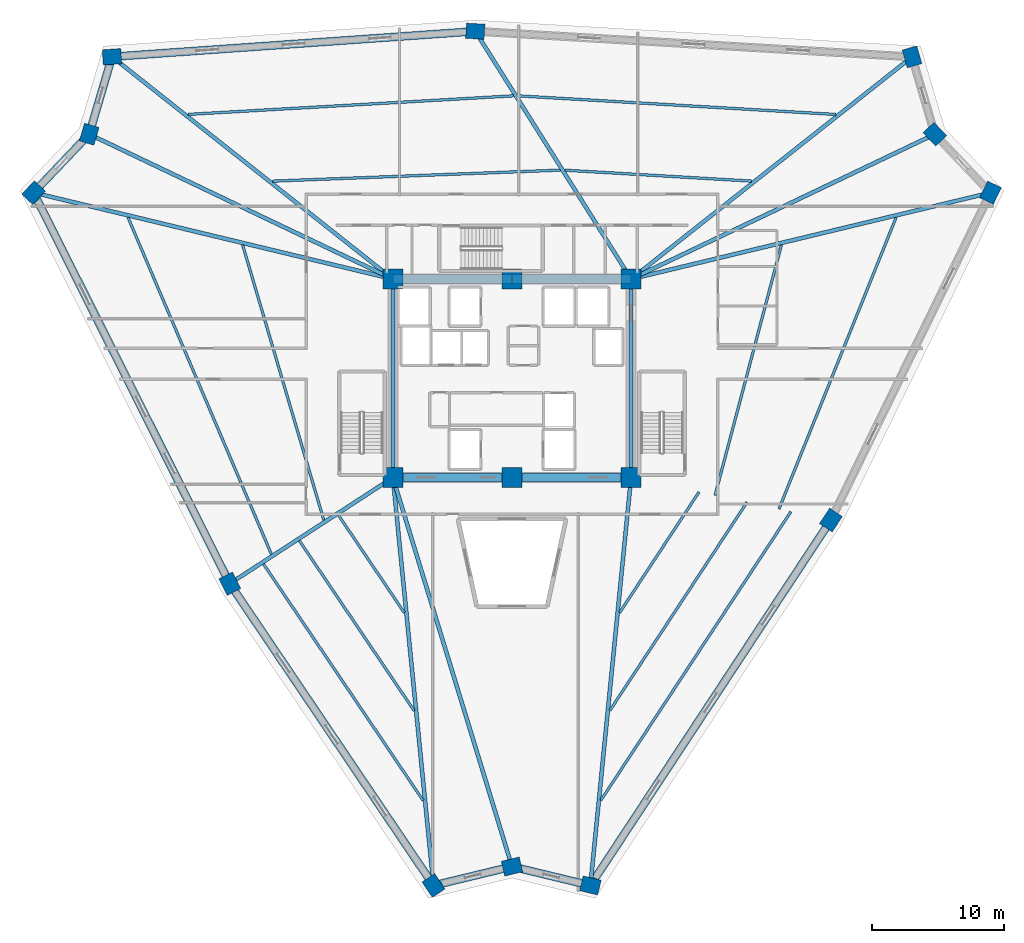
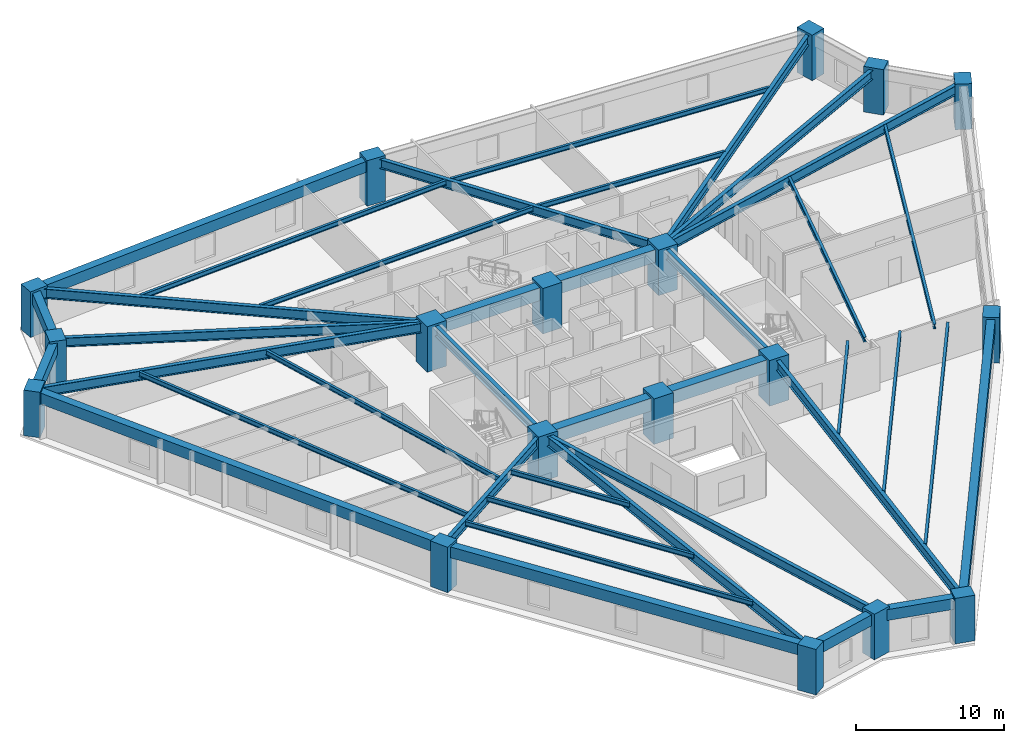
# One storey, part 1 of 9: 39 beams, 18 columns.
"""IFC4 building model written with IfcOpenShell, lengths in metres."""

from ifc_helpers import new_model, si_unit, direction, frame, origin, origin_2d, place, context, subcontext, project, spatial, rectangle, i_section, extrude, source, transform, mapped, material, material_profile, profile_set, type_object, element, save


model = new_model("IFC4")

# Units and contexts
model_context = context("Model", 3, precision=1e-05, world=origin(), true_north=direction((0.0, 1.0)))
body_context = subcontext(model_context, "Body", "Model", "MODEL_VIEW")
ifc_project = project(units=[si_unit("LENGTHUNIT", "METRE"), si_unit("AREAUNIT", "SQUARE_METRE"), si_unit("VOLUMEUNIT", "CUBIC_METRE"), si_unit("PLANEANGLEUNIT", "RADIAN"), si_unit("MASSUNIT", "GRAM", prefix="KILO")], contexts=[model_context])

# Site, building, storey
site_placement = place(None, origin())
site = spatial("IfcSite", under=ifc_project, at=site_placement, CompositionType="ELEMENT")
building_placement = place(site_placement, origin())
building = spatial("IfcBuilding", under=site, at=building_placement, Name="Liaohun Quay Tower", CompositionType="ELEMENT")
storey_placement = place(building_placement, frame((0.0, 0.0, 128.25)))
storey = spatial("IfcBuildingStorey", under=building, at=storey_placement, Name="L33", CompositionType="ELEMENT", Elevation=128.25)

# Columns
ifc_material_1 = material(Name="Concrete C60", Category="concrete")
ifc_material_profile_1 = material_profile(ifc_material_1, rectangle(XDim=1.5, YDim=1.5, at=origin_2d()), Name="RC1500x1500")
ifc_profile_set_1 = profile_set([ifc_material_profile_1], Name="Concrete C60")
column_type_1 = type_object("IfcColumnType", Name="COL-CC-Z2", PredefinedType="COLUMN", material=ifc_profile_set_1)
shared_shape_1 = source(origin(), body_context, "Body", "SweptSolid", [
    extrude(rectangle(XDim=1.5, YDim=1.5, at=origin_2d()), origin(), (0.0, 0.0, 1.0), 3.75),
])
for number, where, z_axis, x_axis, name in (
    (1, (51.0, 46.5, 0.0), (0.0, 0.0, 1.0), (1.0, 0.0, 0.0), "L33 Core Column CC1"),
    (2, (60.0, 46.5, 0.0), (0.0, 0.0, 1.0), (1.0, 0.0, 0.0), "L33 Core Column CC2"),
    (3, (69.0, 46.5, 0.0), (0.0, 0.0, 1.0), (1.0, 0.0, 0.0), "L33 Core Column CC3"),
    (4, (69.0, 61.5, 0.0), (0.0, 0.0, 1.0), (1.0, 0.0, 0.0), "L33 Core Column CC4"),
    (5, (60.0, 61.5, 0.0), (0.0, 0.0, 1.0), (1.0, 0.0, 0.0), "L33 Core Column CC5"),
    (6, (51.0, 61.5, 0.0), (0.0, 0.0, 1.0), (1.0, 0.0, 0.0), "L33 Core Column CC6"),
):
    element("IfcColumn", number, at=place(storey_placement, frame(where, z_axis=z_axis, x_axis=x_axis)), inside=storey, type_object=column_type_1, Name=name, PredefinedType="COLUMN", context=body_context, shape_type="MappedRepresentation", body=[
        mapped(shared_shape_1, transform((0.0, 0.0, 0.0), x_axis=(1.0, 0.0, 0.0), y_axis=(0.0, 1.0, 0.0), z_axis=(0.0, 0.0, 1.0), scale=1.0)),
    ])
ifc_material_profile_2 = material_profile(ifc_material_1, rectangle(XDim=1.39990234375, YDim=1.14990234375, at=origin_2d()), Name="RC1400x1150")
ifc_profile_set_2 = profile_set([ifc_material_profile_2], Name="Concrete C60")
column_type_2 = type_object("IfcColumnType", Name="COL-PIER-Z2", PredefinedType="COLUMN", material=ifc_profile_set_2)
shared_shape_2 = source(origin(), body_context, "Body", "SweptSolid", [
    extrude(rectangle(XDim=1.39990234375, YDim=1.14990234375, at=origin_2d()), origin(), (0.0, 0.0, 1.0), 3.75),
])
for number, where, z_axis, x_axis, name in (
    (7, (54.069091796875, 15.675048828125, 0.0), (0.0, 0.0, 1.0), (-0.559482258102, 0.828842326905, 0.0), "L33 Perimeter Pier PC01"),
    (8, (38.674072265625, 38.485107421875, 0.0), (0.0, 0.0, 1.0), (-0.448539214018, 0.893763152903, 0.0), "L33 Perimeter Pier PC02"),
    (9, (23.84912109375, 68.031982421875, 0.0), (0.0, 0.0, 1.0), (0.68936671806, 0.724412539946, 0.0), "L33 Perimeter Pier PC03"),
    (10, (28.050048828125, 72.447021484375, 0.0), (0.0, 0.0, 1.0), (0.282508884416, 0.959264682049, 0.0), "L33 Perimeter Pier PC04"),
    (11, (29.77490234375, 78.299072265625, 0.0), (0.0, 0.0, 1.0), (0.997539639882, 0.070104685031, 0.0), "L33 Perimeter Pier PC05"),
    (12, (57.22607421875, 80.22607421875, 0.0), (0.0, 0.0, 1.0), (-0.99829120239, 0.058435222518, 0.0), "L33 Perimeter Pier PC06"),
    (13, (90.22802734375, 78.2919921875, 0.0), (0.0, 0.0, 1.0), (-0.282508884416, 0.959264682049, 0.0), "L33 Perimeter Pier PC07"),
    (14, (91.949951171875, 72.447021484375, 0.0), (0.0, 0.0, 1.0), (-0.68936671806, 0.724412539946, 0.0), "L33 Perimeter Pier PC08"),
    (15, (96.156005859375, 68.027099609375, 0.0), (0.0, 0.0, 1.0), (0.438214270959, 0.898870542808, 0.0), "L33 Perimeter Pier PC09"),
    (16, (84.09912109375, 43.2900390625, 0.0), (0.0, 0.0, 1.0), (0.549751988372, 0.835327930385, 0.0), "L33 Perimeter Pier PC10"),
    (17, (65.924072265625, 15.677001953125, 0.0), (0.0, 0.0, 1.0), (-0.972043021443, 0.234802820391, 0.0), "L33 Perimeter Pier PC11"),
    (18, (60.0, 17.10693359375, 0.0), (0.0, 0.0, 1.0), (0.972043021443, 0.234802820391, 0.0), "L33 Perimeter Pier PC12"),
):
    element("IfcColumn", number, at=place(storey_placement, frame(where, z_axis=z_axis, x_axis=x_axis)), inside=storey, type_object=column_type_2, Name=name, PredefinedType="COLUMN", context=body_context, shape_type="MappedRepresentation", body=[
        mapped(shared_shape_2, transform((0.0, 0.0, 0.0), x_axis=(1.0, 0.0, 0.0), y_axis=(0.0, 1.0, 0.0), z_axis=(0.0, 0.0, 1.0), scale=1.0)),
    ])

# Beams
ifc_material_profile_3 = material_profile(ifc_material_1, rectangle(XDim=0.699951171875, YDim=1.050048828125, at=origin_2d()), Name="RC700x1050")
ifc_profile_set_3 = profile_set([ifc_material_profile_3], Name="Concrete C60")
beam_type_1 = type_object("IfcBeamType", Name="BM-CPL-1", PredefinedType="LINTEL", material=ifc_profile_set_3)
shared_shape_3 = source(origin(), body_context, "Body", "SweptSolid", [
    extrude(rectangle(XDim=0.699951171875, YDim=1.050048828125, at=origin_2d()), origin(), (0.0, 0.0, 1.0), 9.0),
])
for number, where, z_axis, x_axis, name in (
    (19, (51.0, 46.5, 3.044921875), (1.0, 0.0, 0.0), (0.0, 1.0, 0.0), "L33 Core Coupling/Ring Beam CC1-CC2"),
    (20, (60.0, 46.5, 3.044921875), (1.0, 0.0, 0.0), (0.0, 1.0, 0.0), "L33 Core Coupling/Ring Beam CC2-CC3"),
    (21, (69.0, 61.5, 3.044921875), (-1.0, 0.0, 0.0), (0.0, -1.0, 0.0), "L33 Core Coupling/Ring Beam CC4-CC5"),
    (22, (60.0, 61.5, 3.044921875), (-1.0, 0.0, 0.0), (0.0, -1.0, 0.0), "L33 Core Coupling/Ring Beam CC5-CC6"),
):
    element("IfcBeam", number, at=place(storey_placement, frame(where, z_axis=z_axis, x_axis=x_axis)), inside=storey, type_object=beam_type_1, Name=name, PredefinedType="LINTEL", context=body_context, shape_type="MappedRepresentation", body=[
        mapped(shared_shape_3, transform((0.0, 0.0, 0.0), x_axis=(1.0, 0.0, 0.0), y_axis=(0.0, 1.0, 0.0), z_axis=(0.0, 0.0, 1.0), scale=1.0)),
    ])
ifc_material_2 = material(Name="Steel Q355D", Category="steel")
ifc_material_profile_4 = material_profile(ifc_material_2, i_section(OverallWidth=0.300048828125, OverallDepth=0.800048828125, WebThickness=0.013916015625, FlangeThickness=0.02587890625, at=origin_2d()), Name="HN800x300x14x26")
ifc_profile_set_4 = profile_set([ifc_material_profile_4], Name="Steel Q355D")
beam_type_2 = type_object("IfcBeamType", Name="BM-RAD-M1", PredefinedType="BEAM", material=ifc_profile_set_4)
shared_shape_4 = source(origin(), body_context, "Body", "SweptSolid", [
    extrude(i_section(OverallWidth=0.300048828125, OverallDepth=0.800048828125, WebThickness=0.013916015625, FlangeThickness=0.02587890625, at=origin_2d()), origin(), (0.0, 0.0, 1.0), 15.0),
])
for number, where, z_axis, x_axis, name in (
    (23, (69.0, 46.5, 3.169921875), (0.0, 1.0, 0.0), (-1.0, 0.0, 0.0), "L33 Core Coupling/Ring Beam CC3-CC4"),
    (24, (51.0, 61.5, 3.169921875), (0.0, -1.0, 0.0), (1.0, 0.0, 0.0), "L33 Core Coupling/Ring Beam CC6-CC1"),
):
    element("IfcBeam", number, at=place(storey_placement, frame(where, z_axis=z_axis, x_axis=x_axis)), inside=storey, type_object=beam_type_2, Name=name, PredefinedType="BEAM", context=body_context, shape_type="MappedRepresentation", body=[
        mapped(shared_shape_4, transform((0.0, 0.0, 0.0), x_axis=(1.0, 0.0, 0.0), y_axis=(0.0, 1.0, 0.0), z_axis=(0.0, 0.0, 1.0), scale=1.0)),
    ])
shared_shape_5 = source(origin(), body_context, "Body", "SweptSolid", [
    extrude(i_section(OverallWidth=0.300048828125, OverallDepth=0.800048828125, WebThickness=0.013916015625, FlangeThickness=0.02587890625, at=origin_2d()), origin(), (0.0, 0.0, 1.0), 30.977294921875),
])
beam_1_placement = place(storey_placement, frame((51.0, 46.5, 3.169921875), z_axis=(0.099075312627, -0.995079937707, 0.0), x_axis=(0.995079937707, 0.099075312627, 0.0)))
element("IfcBeam", 25, at=beam_1_placement, inside=storey, type_object=beam_type_2, Name="L33 Radial Primary Girder CC1-PC01", PredefinedType="BEAM", context=body_context, shape_type="MappedRepresentation", body=[
    mapped(shared_shape_5, transform((0.0, 0.0, 0.0), x_axis=(1.0, 0.0, 0.0), y_axis=(0.0, 1.0, 0.0), z_axis=(0.0, 0.0, 1.0), scale=1.0)),
])
ifc_material_profile_5 = material_profile(ifc_material_2, i_section(OverallWidth=0.300048828125, OverallDepth=0.75, WebThickness=0.013916015625, FlangeThickness=0.02587890625, at=origin_2d()), Name="HN750x300x14x26")
ifc_profile_set_5 = profile_set([ifc_material_profile_5], Name="Steel Q355D")
beam_type_3 = type_object("IfcBeamType", Name="BM-RAD-M2", PredefinedType="BEAM", material=ifc_profile_set_5)
shared_shape_6 = source(origin(), body_context, "Body", "SweptSolid", [
    extrude(i_section(OverallWidth=0.300048828125, OverallDepth=0.75, WebThickness=0.013916015625, FlangeThickness=0.02587890625, at=origin_2d()), origin(), (0.0, 0.0, 1.0), 14.70263671875),
])
beam_2_placement = place(storey_placement, frame((51.0, 46.5, 3.195068359375), z_axis=(-0.838349137648, -0.545133674804, 0.0), x_axis=(0.545133674804, -0.838349137648, 0.0)))
element("IfcBeam", 26, at=beam_2_placement, inside=storey, type_object=beam_type_3, Name="L33 Radial Primary Girder CC1-PC02", PredefinedType="BEAM", context=body_context, shape_type="MappedRepresentation", body=[
    mapped(shared_shape_6, transform((0.0, 0.0, 0.0), x_axis=(1.0, 0.0, 0.0), y_axis=(0.0, 1.0, 0.0), z_axis=(0.0, 0.0, 1.0), scale=1.0)),
])
shared_shape_7 = source(origin(), body_context, "Body", "SweptSolid", [
    extrude(i_section(OverallWidth=0.300048828125, OverallDepth=0.800048828125, WebThickness=0.013916015625, FlangeThickness=0.02587890625, at=origin_2d()), origin(), (0.0, 0.0, 1.0), 27.925537109375),
])
beam_3_placement = place(storey_placement, frame((51.0, 61.5, 3.169921875), z_axis=(-0.972258993003, 0.233906927055, 0.0), x_axis=(-0.233906927055, -0.972258993003, 0.0)))
element("IfcBeam", 27, at=beam_3_placement, inside=storey, type_object=beam_type_2, Name="L33 Radial Primary Girder CC6-PC03", PredefinedType="BEAM", context=body_context, shape_type="MappedRepresentation", body=[
    mapped(shared_shape_7, transform((0.0, 0.0, 0.0), x_axis=(1.0, 0.0, 0.0), y_axis=(0.0, 1.0, 0.0), z_axis=(0.0, 0.0, 1.0), scale=1.0)),
])
shared_shape_8 = source(origin(), body_context, "Body", "SweptSolid", [
    extrude(i_section(OverallWidth=0.300048828125, OverallDepth=0.75, WebThickness=0.013916015625, FlangeThickness=0.02587890625, at=origin_2d()), origin(), (0.0, 0.0, 1.0), 25.427001953125),
])
for number, where, z_axis, x_axis, name in (
    (28, (51.0, 61.5, 3.195068359375), (-0.902578311145, 0.430525716131, 0.0), (-0.430525716131, -0.902578311145, 0.0), "L33 Radial Primary Girder CC6-PC04"),
    (29, (69.0, 61.5, 3.195068359375), (0.902578311145, 0.430525716131, 0.0), (-0.430525716131, 0.902578311145, 0.0), "L33 Radial Primary Girder CC4-PC08"),
):
    element("IfcBeam", number, at=place(storey_placement, frame(where, z_axis=z_axis, x_axis=x_axis)), inside=storey, type_object=beam_type_3, Name=name, PredefinedType="BEAM", context=body_context, shape_type="MappedRepresentation", body=[
        mapped(shared_shape_8, transform((0.0, 0.0, 0.0), x_axis=(1.0, 0.0, 0.0), y_axis=(0.0, 1.0, 0.0), z_axis=(0.0, 0.0, 1.0), scale=1.0)),
    ])
shared_shape_9 = source(origin(), body_context, "Body", "SweptSolid", [
    extrude(i_section(OverallWidth=0.300048828125, OverallDepth=0.800048828125, WebThickness=0.013916015625, FlangeThickness=0.02587890625, at=origin_2d()), origin(), (0.0, 0.0, 1.0), 27.068603515625),
])
beam_4_placement = place(storey_placement, frame((51.0, 61.5, 3.169921875), z_axis=(-0.784120071675, 0.620609146885, 0.0), x_axis=(-0.620609146885, -0.784120071675, 0.0)))
element("IfcBeam", 30, at=beam_4_placement, inside=storey, type_object=beam_type_2, Name="L33 Radial Primary Girder CC6-PC05", PredefinedType="BEAM", context=body_context, shape_type="MappedRepresentation", body=[
    mapped(shared_shape_9, transform((0.0, 0.0, 0.0), x_axis=(1.0, 0.0, 0.0), y_axis=(0.0, 1.0, 0.0), z_axis=(0.0, 0.0, 1.0), scale=1.0)),
])
shared_shape_10 = source(origin(), body_context, "Body", "SweptSolid", [
    extrude(i_section(OverallWidth=0.300048828125, OverallDepth=0.75, WebThickness=0.013916015625, FlangeThickness=0.02587890625, at=origin_2d()), origin(), (0.0, 0.0, 1.0), 22.119873046875),
])
beam_5_placement = place(storey_placement, frame((69.0, 61.5, 3.195068359375), z_axis=(-0.532276875022, 0.846570332765, 0.0), x_axis=(-0.846570332765, -0.532276875022, 0.0)))
element("IfcBeam", 31, at=beam_5_placement, inside=storey, type_object=beam_type_3, Name="L33 Radial Primary Girder CC4-PC06", PredefinedType="BEAM", context=body_context, shape_type="MappedRepresentation", body=[
    mapped(shared_shape_10, transform((0.0, 0.0, 0.0), x_axis=(1.0, 0.0, 0.0), y_axis=(0.0, 1.0, 0.0), z_axis=(0.0, 0.0, 1.0), scale=1.0)),
])
shared_shape_11 = source(origin(), body_context, "Body", "SweptSolid", [
    extrude(i_section(OverallWidth=0.300048828125, OverallDepth=0.800048828125, WebThickness=0.013916015625, FlangeThickness=0.02587890625, at=origin_2d()), origin(), (0.0, 0.0, 1.0), 27.066650390625),
])
beam_6_placement = place(storey_placement, frame((69.0, 61.5, 3.169921875), z_axis=(0.784289025089, 0.620395619846, 0.0), x_axis=(-0.620395619846, 0.784289025089, 0.0)))
element("IfcBeam", 32, at=beam_6_placement, inside=storey, type_object=beam_type_2, Name="L33 Radial Primary Girder CC4-PC07", PredefinedType="BEAM", context=body_context, shape_type="MappedRepresentation", body=[
    mapped(shared_shape_11, transform((0.0, 0.0, 0.0), x_axis=(1.0, 0.0, 0.0), y_axis=(0.0, 1.0, 0.0), z_axis=(0.0, 0.0, 1.0), scale=1.0)),
])
shared_shape_12 = source(origin(), body_context, "Body", "SweptSolid", [
    extrude(i_section(OverallWidth=0.300048828125, OverallDepth=0.800048828125, WebThickness=0.013916015625, FlangeThickness=0.02587890625, at=origin_2d()), origin(), (0.0, 0.0, 1.0), 27.929443359375),
])
beam_7_placement = place(storey_placement, frame((69.0, 61.5, 3.169921875), z_axis=(0.97230877325, 0.233699913269, 0.0), x_axis=(-0.233699913269, 0.97230877325, 0.0)))
element("IfcBeam", 33, at=beam_7_placement, inside=storey, type_object=beam_type_2, Name="L33 Radial Primary Girder CC4-PC09", PredefinedType="BEAM", context=body_context, shape_type="MappedRepresentation", body=[
    mapped(shared_shape_12, transform((0.0, 0.0, 0.0), x_axis=(1.0, 0.0, 0.0), y_axis=(0.0, 1.0, 0.0), z_axis=(0.0, 0.0, 1.0), scale=1.0)),
])
shared_shape_13 = source(origin(), body_context, "Body", "SweptSolid", [
    extrude(i_section(OverallWidth=0.300048828125, OverallDepth=0.800048828125, WebThickness=0.013916015625, FlangeThickness=0.02587890625, at=origin_2d()), origin(), (0.0, 0.0, 1.0), 30.97607421875),
])
beam_8_placement = place(storey_placement, frame((69.0, 46.5, 3.169921875), z_axis=(-0.099300044387, -0.99505753662, 0.0), x_axis=(0.99505753662, -0.099300044387, 0.0)))
element("IfcBeam", 34, at=beam_8_placement, inside=storey, type_object=beam_type_2, Name="L33 Radial Primary Girder CC3-PC11", PredefinedType="BEAM", context=body_context, shape_type="MappedRepresentation", body=[
    mapped(shared_shape_13, transform((0.0, 0.0, 0.0), x_axis=(1.0, 0.0, 0.0), y_axis=(0.0, 1.0, 0.0), z_axis=(0.0, 0.0, 1.0), scale=1.0)),
])
shared_shape_14 = source(origin(), body_context, "Body", "SweptSolid", [
    extrude(i_section(OverallWidth=0.300048828125, OverallDepth=0.75, WebThickness=0.013916015625, FlangeThickness=0.02587890625, at=origin_2d()), origin(), (0.0, 0.0, 1.0), 30.739990234375),
])
beam_9_placement = place(storey_placement, frame((51.0, 46.5, 3.195068359375), z_axis=(0.292777402948, -0.956180627456, 0.0), x_axis=(0.956180627456, 0.292777402948, 0.0)))
element("IfcBeam", 35, at=beam_9_placement, inside=storey, type_object=beam_type_3, Name="L33 Radial Primary Girder CC1-PC12", PredefinedType="BEAM", context=body_context, shape_type="MappedRepresentation", body=[
    mapped(shared_shape_14, transform((0.0, 0.0, 0.0), x_axis=(1.0, 0.0, 0.0), y_axis=(0.0, 1.0, 0.0), z_axis=(0.0, 0.0, 1.0), scale=1.0)),
])
ifc_material_profile_6 = material_profile(ifc_material_2, i_section(OverallWidth=0.199951171875, OverallDepth=0.39990234375, WebThickness=0.008056640625, FlangeThickness=0.012939453125, at=origin_2d()), Name="HN400x200x8x13")
ifc_profile_set_6 = profile_set([ifc_material_profile_6], Name="Steel Q355D")
beam_type_4 = type_object("IfcBeamType", Name="BM-SEC-J2", PredefinedType="JOIST", material=ifc_profile_set_6)
shared_shape_15 = source(origin(), body_context, "Body", "SweptSolid", [
    extrude(i_section(OverallWidth=0.199951171875, OverallDepth=0.39990234375, WebThickness=0.008056640625, FlangeThickness=0.012939453125, at=origin_2d()), origin(), (0.0, 0.0, 1.0), 8.891357421875),
])
beam_10_placement = place(storey_placement, frame((51.866943359375, 36.281005859375, 3.3701171875), z_axis=(-0.559412018003, 0.8288897358, 0.0), x_axis=(-0.8288897358, -0.559412018003, 0.0)))
element("IfcBeam", 36, at=beam_10_placement, inside=storey, type_object=beam_type_4, Name="L33 Wing Secondary Floor Joist SJ-01", PredefinedType="JOIST", context=body_context, shape_type="MappedRepresentation", body=[
    mapped(shared_shape_15, transform((0.0, 0.0, 0.0), x_axis=(1.0, 0.0, 0.0), y_axis=(0.0, 1.0, 0.0), z_axis=(0.0, 0.0, 1.0), scale=1.0)),
])
shared_shape_16 = source(origin(), body_context, "Body", "SweptSolid", [
    extrude(i_section(OverallWidth=0.199951171875, OverallDepth=0.39990234375, WebThickness=0.008056640625, FlangeThickness=0.012939453125, at=origin_2d()), origin(), (0.0, 0.0, 1.0), 15.4951171875),
])
beam_11_placement = place(storey_placement, frame((52.60302734375, 28.883056640625, 3.3701171875), z_axis=(-0.559396271933, 0.828900362497, 0.0), x_axis=(-0.828900362497, -0.559396271933, 0.0)))
element("IfcBeam", 37, at=beam_11_placement, inside=storey, type_object=beam_type_4, Name="L33 Wing Secondary Floor Joist SJ-02", PredefinedType="JOIST", context=body_context, shape_type="MappedRepresentation", body=[
    mapped(shared_shape_16, transform((0.0, 0.0, 0.0), x_axis=(1.0, 0.0, 0.0), y_axis=(0.0, 1.0, 0.0), z_axis=(0.0, 0.0, 1.0), scale=1.0)),
])
shared_shape_17 = source(origin(), body_context, "Body", "SweptSolid", [
    extrude(i_section(OverallWidth=0.199951171875, OverallDepth=0.39990234375, WebThickness=0.008056640625, FlangeThickness=0.012939453125, at=origin_2d()), origin(), (0.0, 0.0, 1.0), 21.549560546875),
])
beam_12_placement = place(storey_placement, frame((53.278076171875, 22.10205078125, 3.3701171875), z_axis=(-0.559418177385, 0.828885578841, 0.0), x_axis=(-0.828885578841, -0.559418177385, 0.0)))
element("IfcBeam", 38, at=beam_12_placement, inside=storey, type_object=beam_type_4, Name="L33 Wing Secondary Floor Joist SJ-03", PredefinedType="JOIST", context=body_context, shape_type="MappedRepresentation", body=[
    mapped(shared_shape_17, transform((0.0, 0.0, 0.0), x_axis=(1.0, 0.0, 0.0), y_axis=(0.0, 1.0, 0.0), z_axis=(0.0, 0.0, 1.0), scale=1.0)),
])
shared_shape_18 = source(origin(), body_context, "Body", "SweptSolid", [
    extrude(i_section(OverallWidth=0.199951171875, OverallDepth=0.39990234375, WebThickness=0.008056640625, FlangeThickness=0.012939453125, at=origin_2d()), origin(), (0.0, 0.0, 1.0), 21.6787109375),
])
beam_13_placement = place(storey_placement, frame((45.779052734375, 43.283935546875, 3.3701171875), z_axis=(-0.282908264634, 0.95914697195, 0.0), x_axis=(-0.95914697195, -0.282908264634, 0.0)))
element("IfcBeam", 39, at=beam_13_placement, inside=storey, type_object=beam_type_4, Name="L33 Wing Secondary Floor Joist SJ-04", PredefinedType="JOIST", context=body_context, shape_type="MappedRepresentation", body=[
    mapped(shared_shape_18, transform((0.0, 0.0, 0.0), x_axis=(1.0, 0.0, 0.0), y_axis=(0.0, 1.0, 0.0), z_axis=(0.0, 0.0, 1.0), scale=1.0)),
])
shared_shape_19 = source(origin(), body_context, "Body", "SweptSolid", [
    extrude(i_section(OverallWidth=0.199951171875, OverallDepth=0.39990234375, WebThickness=0.008056640625, FlangeThickness=0.012939453125, at=origin_2d()), origin(), (0.0, 0.0, 1.0), 27.66455078125),
])
beam_14_placement = place(storey_placement, frame((41.819091796875, 40.708984375, 3.3701171875), z_axis=(-0.39176993437, 0.920063214417, 0.0), x_axis=(-0.920063214417, -0.39176993437, 0.0)))
element("IfcBeam", 40, at=beam_14_placement, inside=storey, type_object=beam_type_4, Name="L33 Wing Secondary Floor Joist SJ-05", PredefinedType="JOIST", context=body_context, shape_type="MappedRepresentation", body=[
    mapped(shared_shape_19, transform((0.0, 0.0, 0.0), x_axis=(1.0, 0.0, 0.0), y_axis=(0.0, 1.0, 0.0), z_axis=(0.0, 0.0, 1.0), scale=1.0)),
])
shared_shape_20 = source(origin(), body_context, "Body", "SweptSolid", [
    extrude(i_section(OverallWidth=0.199951171875, OverallDepth=0.39990234375, WebThickness=0.008056640625, FlangeThickness=0.012939453125, at=origin_2d()), origin(), (0.0, 0.0, 1.0), 21.769775390625),
])
beam_15_placement = place(storey_placement, frame((41.89208984375, 68.89990234375, 3.3701171875), z_axis=(0.999267653916, 0.038264289315, 0.0), x_axis=(-0.038264289315, 0.999267653916, 0.0)))
element("IfcBeam", 41, at=beam_15_placement, inside=storey, type_object=beam_type_4, Name="L33 Wing Secondary Floor Joist SJ-06", PredefinedType="JOIST", context=body_context, shape_type="MappedRepresentation", body=[
    mapped(shared_shape_20, transform((0.0, 0.0, 0.0), x_axis=(1.0, 0.0, 0.0), y_axis=(0.0, 1.0, 0.0), z_axis=(0.0, 0.0, 1.0), scale=1.0)),
])
shared_shape_21 = source(origin(), body_context, "Body", "SweptSolid", [
    extrude(i_section(OverallWidth=0.199951171875, OverallDepth=0.39990234375, WebThickness=0.008056640625, FlangeThickness=0.012939453125, at=origin_2d()), origin(), (0.0, 0.0, 1.0), 24.636962890625),
])
beam_16_placement = place(storey_placement, frame((35.51904296875, 73.944091796875, 3.3701171875), z_axis=(0.998377585387, 0.05694029326, 0.0), x_axis=(-0.05694029326, 0.998377585387, 0.0)))
element("IfcBeam", 42, at=beam_16_placement, inside=storey, type_object=beam_type_4, Name="L33 Wing Secondary Floor Joist SJ-07", PredefinedType="JOIST", context=body_context, shape_type="MappedRepresentation", body=[
    mapped(shared_shape_21, transform((0.0, 0.0, 0.0), x_axis=(1.0, 0.0, 0.0), y_axis=(0.0, 1.0, 0.0), z_axis=(0.0, 0.0, 1.0), scale=1.0)),
])
shared_shape_22 = source(origin(), body_context, "Body", "SweptSolid", [
    extrude(i_section(OverallWidth=0.199951171875, OverallDepth=0.39990234375, WebThickness=0.008056640625, FlangeThickness=0.012939453125, at=origin_2d()), origin(), (0.0, 0.0, 1.0), 14.13623046875),
])
beam_17_placement = place(storey_placement, frame((64.0029296875, 69.72900390625, 3.3701171875), z_axis=(0.998287687401, -0.058495240684, 0.0), x_axis=(0.058495240684, 0.998287687401, 0.0)))
element("IfcBeam", 43, at=beam_17_placement, inside=storey, type_object=beam_type_4, Name="L33 Wing Secondary Floor Joist SJ-08", PredefinedType="JOIST", context=body_context, shape_type="MappedRepresentation", body=[
    mapped(shared_shape_22, transform((0.0, 0.0, 0.0), x_axis=(1.0, 0.0, 0.0), y_axis=(0.0, 1.0, 0.0), z_axis=(0.0, 0.0, 1.0), scale=1.0)),
])
shared_shape_23 = source(origin(), body_context, "Body", "SweptSolid", [
    extrude(i_section(OverallWidth=0.199951171875, OverallDepth=0.39990234375, WebThickness=0.008056640625, FlangeThickness=0.012939453125, at=origin_2d()), origin(), (0.0, 0.0, 1.0), 24.05419921875),
])
beam_18_placement = place(storey_placement, frame((60.470947265625, 75.345947265625, 3.3701171875), z_axis=(0.998287856274, -0.058492358609, 0.0), x_axis=(0.058492358609, 0.998287856274, 0.0)))
element("IfcBeam", 44, at=beam_18_placement, inside=storey, type_object=beam_type_4, Name="L33 Wing Secondary Floor Joist SJ-09", PredefinedType="JOIST", context=body_context, shape_type="MappedRepresentation", body=[
    mapped(shared_shape_23, transform((0.0, 0.0, 0.0), x_axis=(1.0, 0.0, 0.0), y_axis=(0.0, 1.0, 0.0), z_axis=(0.0, 0.0, 1.0), scale=1.0)),
])
shared_shape_24 = source(origin(), body_context, "Body", "SweptSolid", [
    extrude(i_section(OverallWidth=0.199951171875, OverallDepth=0.39990234375, WebThickness=0.008056640625, FlangeThickness=0.012939453125, at=origin_2d()), origin(), (0.0, 0.0, 1.0), 19.579345703125),
])
beam_19_placement = place(storey_placement, frame((80.362060546875, 64.076904296875, 3.3701171875), z_axis=(-0.256394282658, -0.966572279667, 0.0), x_axis=(0.966572279667, -0.256394282658, 0.0)))
element("IfcBeam", 45, at=beam_19_placement, inside=storey, type_object=beam_type_4, Name="L33 Wing Secondary Floor Joist SJ-10", PredefinedType="JOIST", context=body_context, shape_type="MappedRepresentation", body=[
    mapped(shared_shape_24, transform((0.0, 0.0, 0.0), x_axis=(1.0, 0.0, 0.0), y_axis=(0.0, 1.0, 0.0), z_axis=(0.0, 0.0, 1.0), scale=1.0)),
])
shared_shape_25 = source(origin(), body_context, "Body", "SweptSolid", [
    extrude(i_section(OverallWidth=0.199951171875, OverallDepth=0.39990234375, WebThickness=0.008056640625, FlangeThickness=0.012939453125, at=origin_2d()), origin(), (0.0, 0.0, 1.0), 23.746337890625),
])
beam_20_placement = place(storey_placement, frame((89.027099609375, 66.158935546875, 3.3701171875), z_axis=(-0.372857942024, -0.927888438914, 0.0), x_axis=(0.927888438914, -0.372857942024, 0.0)))
element("IfcBeam", 46, at=beam_20_placement, inside=storey, type_object=beam_type_4, Name="L33 Wing Secondary Floor Joist SJ-11", PredefinedType="JOIST", context=body_context, shape_type="MappedRepresentation", body=[
    mapped(shared_shape_25, transform((0.0, 0.0, 0.0), x_axis=(1.0, 0.0, 0.0), y_axis=(0.0, 1.0, 0.0), z_axis=(0.0, 0.0, 1.0), scale=1.0)),
])
shared_shape_26 = source(origin(), body_context, "Body", "SweptSolid", [
    extrude(i_section(OverallWidth=0.199951171875, OverallDepth=0.39990234375, WebThickness=0.008056640625, FlangeThickness=0.012939453125, at=origin_2d()), origin(), (0.0, 0.0, 1.0), 10.916748046875),
])
beam_21_placement = place(storey_placement, frame((74.134033203125, 45.408935546875, 3.3701171875), z_axis=(-0.549787767966, -0.835304381764, 0.0), x_axis=(0.835304381764, -0.549787767966, 0.0)))
element("IfcBeam", 47, at=beam_21_placement, inside=storey, type_object=beam_type_4, Name="L33 Wing Secondary Floor Joist SJ-12", PredefinedType="JOIST", context=body_context, shape_type="MappedRepresentation", body=[
    mapped(shared_shape_26, transform((0.0, 0.0, 0.0), x_axis=(1.0, 0.0, 0.0), y_axis=(0.0, 1.0, 0.0), z_axis=(0.0, 0.0, 1.0), scale=1.0)),
])
shared_shape_27 = source(origin(), body_context, "Body", "SweptSolid", [
    extrude(i_section(OverallWidth=0.199951171875, OverallDepth=0.39990234375, WebThickness=0.008056640625, FlangeThickness=0.012939453125, at=origin_2d()), origin(), (0.0, 0.0, 1.0), 18.84912109375),
])
beam_22_placement = place(storey_placement, frame((77.757080078125, 44.637939453125, 3.3701171875), z_axis=(-0.549785627393, -0.835305790661, 0.0), x_axis=(0.835305790661, -0.549785627393, 0.0)))
element("IfcBeam", 48, at=beam_22_placement, inside=storey, type_object=beam_type_4, Name="L33 Wing Secondary Floor Joist SJ-13", PredefinedType="JOIST", context=body_context, shape_type="MappedRepresentation", body=[
    mapped(shared_shape_27, transform((0.0, 0.0, 0.0), x_axis=(1.0, 0.0, 0.0), y_axis=(0.0, 1.0, 0.0), z_axis=(0.0, 0.0, 1.0), scale=1.0)),
])
shared_shape_28 = source(origin(), body_context, "Body", "SweptSolid", [
    extrude(i_section(OverallWidth=0.199951171875, OverallDepth=0.39990234375, WebThickness=0.008056640625, FlangeThickness=0.012939453125, at=origin_2d()), origin(), (0.0, 0.0, 1.0), 26.122314453125),
])
beam_23_placement = place(storey_placement, frame((81.0791015625, 43.931884765625, 3.3701171875), z_axis=(-0.549801186961, -0.835295549381, 0.0), x_axis=(0.835295549381, -0.549801186961, 0.0)))
element("IfcBeam", 49, at=beam_23_placement, inside=storey, type_object=beam_type_4, Name="L33 Wing Secondary Floor Joist SJ-14", PredefinedType="JOIST", context=body_context, shape_type="MappedRepresentation", body=[
    mapped(shared_shape_28, transform((0.0, 0.0, 0.0), x_axis=(1.0, 0.0, 0.0), y_axis=(0.0, 1.0, 0.0), z_axis=(0.0, 0.0, 1.0), scale=1.0)),
])
ifc_material_3 = material(Name="Precast concrete C55", Category="concrete")
ifc_material_profile_7 = material_profile(ifc_material_3, rectangle(XDim=0.60009765625, YDim=0.89990234375, at=origin_2d()), Name="RC600x900")
ifc_profile_set_7 = profile_set([ifc_material_profile_7], Name="Precast concrete C55")
beam_type_5 = type_object("IfcBeamType", Name="BM-SPD-Z2", PredefinedType="SPANDREL", material=ifc_profile_set_7)
shared_shape_29 = source(origin(), body_context, "Body", "SweptSolid", [
    extrude(rectangle(XDim=0.60009765625, YDim=0.89990234375, at=origin_2d()), origin(), (0.0, 0.0, 1.0), 27.519287109375),
])
beam_24_placement = place(storey_placement, frame((54.069091796875, 15.675048828125, 3.1201171875), z_axis=(-0.559428667358, 0.82887849902, 0.0), x_axis=(-0.82887849902, -0.559428667358, 0.0)))
element("IfcBeam", 50, at=beam_24_placement, inside=storey, type_object=beam_type_5, Name="L33 Precast Spandrel Beam PC01-PC02", PredefinedType="SPANDREL", context=body_context, shape_type="MappedRepresentation", body=[
    mapped(shared_shape_29, transform((0.0, 0.0, 0.0), x_axis=(1.0, 0.0, 0.0), y_axis=(0.0, 1.0, 0.0), z_axis=(0.0, 0.0, 1.0), scale=1.0)),
])
shared_shape_30 = source(origin(), body_context, "Body", "SweptSolid", [
    extrude(rectangle(XDim=0.60009765625, YDim=0.89990234375, at=origin_2d()), origin(), (0.0, 0.0, 1.0), 33.057373046875),
])
beam_25_placement = place(storey_placement, frame((38.674072265625, 38.485107421875, 3.1201171875), z_axis=(-0.448459805959, 0.893802999793, 0.0), x_axis=(-0.893802999793, -0.448459805959, 0.0)))
element("IfcBeam", 51, at=beam_25_placement, inside=storey, type_object=beam_type_5, Name="L33 Precast Spandrel Beam PC02-PC03", PredefinedType="SPANDREL", context=body_context, shape_type="MappedRepresentation", body=[
    mapped(shared_shape_30, transform((0.0, 0.0, 0.0), x_axis=(1.0, 0.0, 0.0), y_axis=(0.0, 1.0, 0.0), z_axis=(0.0, 0.0, 1.0), scale=1.0)),
])
shared_shape_31 = source(origin(), body_context, "Body", "SweptSolid", [
    extrude(rectangle(XDim=0.60009765625, YDim=0.89990234375, at=origin_2d()), origin(), (0.0, 0.0, 1.0), 6.09423828125),
])
for number, where, z_axis, x_axis, name in (
    (52, (23.84912109375, 68.031982421875, 3.1201171875), (0.689321991872, 0.724455099728, 0.0), (-0.724455099728, 0.689321991872, 0.0), "L33 Precast Spandrel Beam PC03-PC04"),
    (53, (65.924072265625, 15.677001953125, 3.1201171875), (-0.972082838745, 0.234637922379, 0.0), (-0.234637922379, -0.972082838745, 0.0), "L33 Precast Spandrel Beam PC11-PC12"),
):
    element("IfcBeam", number, at=place(storey_placement, frame(where, z_axis=z_axis, x_axis=x_axis)), inside=storey, type_object=beam_type_5, Name=name, PredefinedType="SPANDREL", context=body_context, shape_type="MappedRepresentation", body=[
        mapped(shared_shape_31, transform((0.0, 0.0, 0.0), x_axis=(1.0, 0.0, 0.0), y_axis=(0.0, 1.0, 0.0), z_axis=(0.0, 0.0, 1.0), scale=1.0)),
    ])
shared_shape_32 = source(origin(), body_context, "Body", "SweptSolid", [
    extrude(rectangle(XDim=0.60009765625, YDim=0.89990234375, at=origin_2d()), origin(), (0.0, 0.0, 1.0), 6.10107421875),
])
beam_26_placement = place(storey_placement, frame((28.050048828125, 72.447021484375, 3.1201171875), z_axis=(0.282718738533, 0.959202853875, 0.0), x_axis=(-0.959202853875, 0.282718738533, 0.0)))
element("IfcBeam", 54, at=beam_26_placement, inside=storey, type_object=beam_type_5, Name="L33 Precast Spandrel Beam PC04-PC05", PredefinedType="SPANDREL", context=body_context, shape_type="MappedRepresentation", body=[
    mapped(shared_shape_32, transform((0.0, 0.0, 0.0), x_axis=(1.0, 0.0, 0.0), y_axis=(0.0, 1.0, 0.0), z_axis=(0.0, 0.0, 1.0), scale=1.0)),
])
shared_shape_33 = source(origin(), body_context, "Body", "SweptSolid", [
    extrude(rectangle(XDim=0.60009765625, YDim=0.89990234375, at=origin_2d()), origin(), (0.0, 0.0, 1.0), 27.518798828125),
])
beam_27_placement = place(storey_placement, frame((29.77490234375, 78.299072265625, 3.1201171875), z_axis=(0.997545228336, 0.070025119951, 0.0), x_axis=(-0.070025119951, 0.997545228336, 0.0)))
element("IfcBeam", 55, at=beam_27_placement, inside=storey, type_object=beam_type_5, Name="L33 Precast Spandrel Beam PC05-PC06", PredefinedType="SPANDREL", context=body_context, shape_type="MappedRepresentation", body=[
    mapped(shared_shape_33, transform((0.0, 0.0, 0.0), x_axis=(1.0, 0.0, 0.0), y_axis=(0.0, 1.0, 0.0), z_axis=(0.0, 0.0, 1.0), scale=1.0)),
])
shared_shape_34 = source(origin(), body_context, "Body", "SweptSolid", [
    extrude(rectangle(XDim=0.60009765625, YDim=0.89990234375, at=origin_2d()), origin(), (0.0, 0.0, 1.0), 6.101318359375),
])
beam_28_placement = place(storey_placement, frame((60.0, 17.10693359375, 3.1201171875), z_axis=(-0.972071507064, -0.234684863497, 0.0), x_axis=(0.234684863497, -0.972071507064, 0.0)))
element("IfcBeam", 56, at=beam_28_placement, inside=storey, type_object=beam_type_5, Name="L33 Precast Spandrel Beam PC12-PC01", PredefinedType="SPANDREL", context=body_context, shape_type="MappedRepresentation", body=[
    mapped(shared_shape_34, transform((0.0, 0.0, 0.0), x_axis=(1.0, 0.0, 0.0), y_axis=(0.0, 1.0, 0.0), z_axis=(0.0, 0.0, 1.0), scale=1.0)),
])
shared_shape_35 = source(origin(), body_context, "Body", "SweptSolid", [
    extrude(rectangle(XDim=0.60009765625, YDim=0.89990234375, at=origin_2d()), origin(), (0.0, 0.0, 1.0), 33.0576171875),
])
beam_29_placement = place(storey_placement, frame((84.09912109375, 43.2900390625, 3.1201171875), z_axis=(-0.549797569052, -0.83529793072, 0.0), x_axis=(0.83529793072, -0.549797569052, 0.0)))
element("IfcBeam", 57, at=beam_29_placement, inside=storey, type_object=beam_type_5, Name="L33 Precast Spandrel Beam PC10-PC11", PredefinedType="SPANDREL", context=body_context, shape_type="MappedRepresentation", body=[
    mapped(shared_shape_35, transform((0.0, 0.0, 0.0), x_axis=(1.0, 0.0, 0.0), y_axis=(0.0, 1.0, 0.0), z_axis=(0.0, 0.0, 1.0), scale=1.0)),
])

save(model, "model.ifc")
